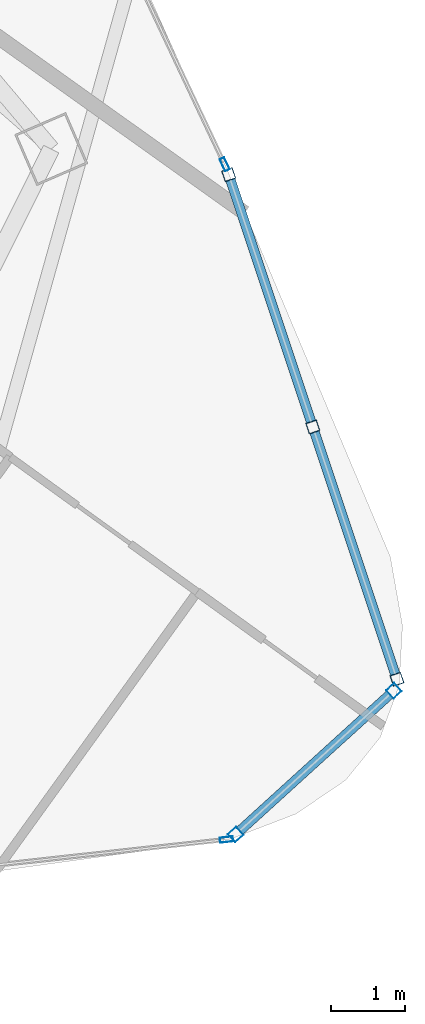
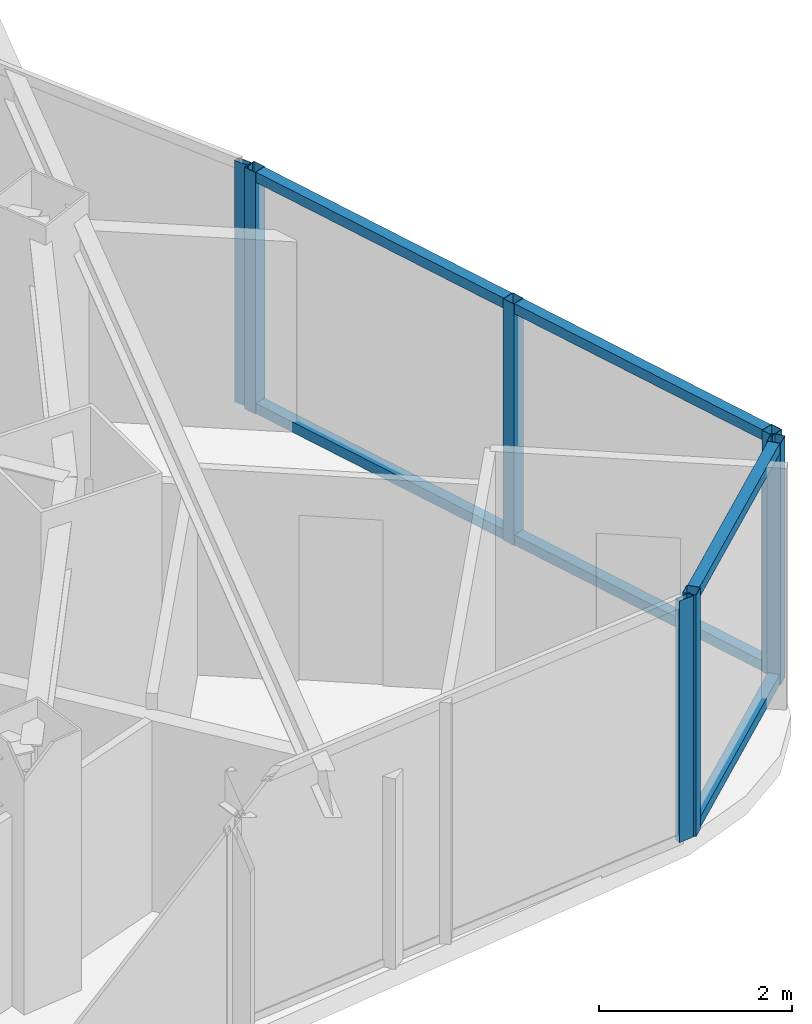
# One storey, part 14 of 30: 13 members, 4 elements without a shape of their own.
"""IFC4 building model written with IfcOpenShell, lengths in metres."""

from ifc_helpers import new_model, si_unit, direction, frame, origin, origin_2d, place, context, subcontext, project, spatial, hollow_rectangle, extrude, material, layer, layer_set, material_profile, profile_set, type_object, element, aggregate, save


model = new_model("IFC4")

# Units and contexts
model_context = context("Model", 3, precision=1e-05, world=origin(), true_north=direction((0.0, 1.0)))
body_context = subcontext(model_context, "Body", "Model", "MODEL_VIEW")
ifc_project = project(units=[si_unit("LENGTHUNIT", "METRE"), si_unit("AREAUNIT", "SQUARE_METRE"), si_unit("VOLUMEUNIT", "CUBIC_METRE"), si_unit("PLANEANGLEUNIT", "RADIAN"), si_unit("MASSUNIT", "GRAM", prefix="KILO")], contexts=[model_context])

# Site, building, storey
site_placement = place(None, origin())
site = spatial("IfcSite", under=ifc_project, at=site_placement, CompositionType="ELEMENT")
building_placement = place(site_placement, origin())
building = spatial("IfcBuilding", under=site, at=building_placement, Name="Orvanel Arch Residences", CompositionType="ELEMENT")
storey_placement = place(building_placement, frame((0.0, 0.0, 136.39990234375)))
storey = spatial("IfcBuildingStorey", under=building, at=storey_placement, Name="L38", CompositionType="ELEMENT", Elevation=136.39990234375)

# Curtain wall, members
ifc_material = material(Name="Bronze-anodised aluminium AA6063-T6", Category="aluminium")
ifc_layer_1 = layer(ifc_material, 0.18994140625)
ifc_layer_set_1 = layer_set([ifc_layer_1], Name="Bronze-anodised aluminium AA6063-T6")
curtain_wall_type_1 = type_object("IfcCurtainWallType", Name="CW5-CRN-SYS", PredefinedType="NOTDEFINED", material=ifc_layer_set_1)
curtain_wall_1_placement = place(storey_placement, origin())
curtain_wall_1 = element("IfcCurtainWall", 1, at=curtain_wall_1_placement, inside=storey, type_object=curtain_wall_type_1, Name="L38 CW5-CRN-SYS Unitised Curtain Wall", PredefinedType="NOTDEFINED")
ifc_material_profile_1 = material_profile(ifc_material, hollow_rectangle(XDim=0.14990234375, YDim=0.14990234375, WallThickness=0.0048828125, at=origin_2d()), Name="ALU150x150x5")
ifc_profile_set_1 = profile_set([ifc_material_profile_1], Name="Bronze-anodised aluminium AA6063-T6")
member_type_1 = type_object("IfcMemberType", Name="MUL-150x150", PredefinedType="MULLION", material=ifc_profile_set_1)
member_1_placement = place(storey_placement, frame((56.39453125, 5.33349609375, 0.0), z_axis=(0.0, 0.0, 1.0), x_axis=(-0.672508692738, 0.740089223129, 0.0)))
member_1 = element("IfcMember", 2, at=member_1_placement, type_object=member_type_1, Name="CW-S5 mullion 1", PredefinedType="MULLION", context=body_context, shape_type="SweptSolid", body=[
    extrude(hollow_rectangle(XDim=0.14990234375, YDim=0.14990234375, WallThickness=0.0048828125, at=origin_2d()), origin(), (0.0, 0.0, 1.0), 3.06005859375),
])
member_2_placement = place(storey_placement, frame((58.528564453125, 7.2724609375, 0.0), z_axis=(0.0, 0.0, 1.0), x_axis=(-0.672508692738, 0.740089223129, 0.0)))
member_2 = element("IfcMember", 3, at=member_2_placement, type_object=member_type_1, Name="CW-S5 mullion 2", PredefinedType="MULLION", context=body_context, shape_type="SweptSolid", body=[
    extrude(hollow_rectangle(XDim=0.14990234375, YDim=0.14990234375, WallThickness=0.0048828125, at=origin_2d()), origin(), (0.0, 0.0, 1.0), 3.06005859375),
])

curtain_wall_2_placement = place(storey_placement, origin())
curtain_wall_2 = element("IfcCurtainWall", 4, at=curtain_wall_2_placement, inside=storey, type_object=curtain_wall_type_1, Name="L38 CW5-CRN-SYS Unitised Curtain Wall", PredefinedType="NOTDEFINED")
member_3_placement = place(storey_placement, frame((58.5693359375, 7.42626953125, 0.0), z_axis=(0.0, 0.0, 1.0), x_axis=(-0.948642347398, -0.316350591471, 0.0)))
member_3 = element("IfcMember", 5, at=member_3_placement, type_object=member_type_1, Name="CW-S5 mullion 1", PredefinedType="MULLION", context=body_context, shape_type="SweptSolid", body=[
    extrude(hollow_rectangle(XDim=0.14990234375, YDim=0.14990234375, WallThickness=0.0048828125, at=origin_2d()), origin(), (0.0, 0.0, 1.0), 3.06005859375),
])
member_4_placement = place(storey_placement, frame((57.43408203125, 10.83056640625, 0.0), z_axis=(0.0, 0.0, 1.0), x_axis=(-0.948642347398, -0.316350591471, 0.0)))
member_4 = element("IfcMember", 6, at=member_4_placement, type_object=member_type_1, Name="CW-S5 mullion 2", PredefinedType="MULLION", context=body_context, shape_type="SweptSolid", body=[
    extrude(hollow_rectangle(XDim=0.14990234375, YDim=0.14990234375, WallThickness=0.0048828125, at=origin_2d()), origin(), (0.0, 0.0, 1.0), 3.06005859375),
])
member_5_placement = place(storey_placement, frame((56.298828125, 14.23486328125, 0.0), z_axis=(0.0, 0.0, 1.0), x_axis=(-0.948642347398, -0.316350591471, 0.0)))
member_5 = element("IfcMember", 7, at=member_5_placement, type_object=member_type_1, Name="CW-S5 mullion 3", PredefinedType="MULLION", context=body_context, shape_type="SweptSolid", body=[
    extrude(hollow_rectangle(XDim=0.14990234375, YDim=0.14990234375, WallThickness=0.0048828125, at=origin_2d()), origin(), (0.0, 0.0, 1.0), 3.06005859375),
])

# Curtain wall, member
ifc_layer_2 = layer(ifc_material, 0.179931640625)
ifc_layer_set_2 = layer_set([ifc_layer_2], Name="Bronze-anodised aluminium AA6063-T6")
curtain_wall_type_2 = type_object("IfcCurtainWallType", Name="CW3-MID-SYS", PredefinedType="NOTDEFINED", material=ifc_layer_set_2)
curtain_wall_3_placement = place(storey_placement, origin())
curtain_wall_3 = element("IfcCurtainWall", 8, at=curtain_wall_3_placement, inside=storey, type_object=curtain_wall_type_2, Name="L38 CW3-MID-SYS Unitised Curtain Wall", PredefinedType="NOTDEFINED")
ifc_material_profile_2 = material_profile(ifc_material, hollow_rectangle(XDim=0.070068359375, YDim=0.179931640625, WallThickness=0.00439453125, at=origin_2d()), Name="ALU180x70x4.5")
ifc_profile_set_2 = profile_set([ifc_material_profile_2], Name="Bronze-anodised aluminium AA6063-T6")
member_type_2 = type_object("IfcMemberType", Name="MUL-180x70", PredefinedType="MULLION", material=ifc_profile_set_2)
member_6_placement = place(storey_placement, frame((56.269287109375, 5.26416015625, 0.0), z_axis=(0.0, 0.0, 1.0), x_axis=(-0.109856452012, 0.993947463376, 0.0)))
member_6 = element("IfcMember", 9, at=member_6_placement, type_object=member_type_2, Name="CW-S3 mullion 4", PredefinedType="MULLION", context=body_context, shape_type="SweptSolid", body=[
    extrude(hollow_rectangle(XDim=0.070068359375, YDim=0.179931640625, WallThickness=0.00439453125, at=origin_2d()), origin(), (0.0, 0.0, 1.0), 3.06005859375),
])
aggregate(curtain_wall_3, [member_6])

curtain_wall_4_placement = place(storey_placement, origin())
curtain_wall_4 = element("IfcCurtainWall", 10, at=curtain_wall_4_placement, inside=storey, type_object=curtain_wall_type_2, Name="L38 CW3-MID-SYS Unitised Curtain Wall", PredefinedType="NOTDEFINED")
member_7_placement = place(storey_placement, frame((56.2451171875, 14.374755859375, 0.0), z_axis=(0.0, 0.0, 1.0), x_axis=(-0.904718317151, -0.426010289326, 0.0)))
member_7 = element("IfcMember", 11, at=member_7_placement, type_object=member_type_2, Name="CW-S3 mullion 1", PredefinedType="MULLION", context=body_context, shape_type="SweptSolid", body=[
    extrude(hollow_rectangle(XDim=0.070068359375, YDim=0.179931640625, WallThickness=0.00439453125, at=origin_2d()), origin(), (0.0, 0.0, 1.0), 3.06005859375),
])
aggregate(curtain_wall_4, [member_7])

# Member
ifc_material_profile_3 = material_profile(ifc_material, hollow_rectangle(XDim=0.1298828125, YDim=0.1298828125, WallThickness=0.00439453125, at=origin_2d()), Name="ALU130x130x4.5")
ifc_profile_set_3 = profile_set([ifc_material_profile_3], Name="Bronze-anodised aluminium AA6063-T6")
member_type_3 = type_object("IfcMemberType", Name="TRN-130x130", PredefinedType="USERDEFINED", material=ifc_profile_set_3)
member_8_placement = place(storey_placement, frame((56.449951171875, 5.3837890625, 0.065185546875), z_axis=(0.740061303002, 0.672539417283, 0.0), x_axis=(-0.672539417283, 0.740061303002, 0.0)))
member_8 = element("IfcMember", 12, at=member_8_placement, type_object=member_type_3, Name="CW-S5 transom 1.1", ObjectType="TRANSOM", PredefinedType="USERDEFINED", context=body_context, shape_type="SweptSolid", body=[
    extrude(hollow_rectangle(XDim=0.1298828125, YDim=0.1298828125, WallThickness=0.00439453125, at=origin_2d()), origin(), (0.0, 0.0, 1.0), 2.7333984375),
])

member_9_placement = place(storey_placement, frame((56.449951171875, 5.3837890625, 2.9951171875), z_axis=(0.740061303002, 0.672539417283, 0.0), x_axis=(-0.672539417283, 0.740061303002, 0.0)))
member_9 = element("IfcMember", 13, at=member_9_placement, type_object=member_type_3, Name="CW-S5 transom 1.2", ObjectType="TRANSOM", PredefinedType="USERDEFINED", context=body_context, shape_type="SweptSolid", body=[
    extrude(hollow_rectangle(XDim=0.1298828125, YDim=0.1298828125, WallThickness=0.00439453125, at=origin_2d()), origin(), (0.0, 0.0, 1.0), 2.7333984375),
])

aggregate(curtain_wall_1, [member_1, member_2, member_8, member_9])

member_10_placement = place(storey_placement, frame((58.545654296875, 7.497314453125, 0.065185546875), z_axis=(-0.316376862518, 0.948633586198, 0.0), x_axis=(-0.948633586198, -0.316376862518, 0.0)))
member_10 = element("IfcMember", 14, at=member_10_placement, type_object=member_type_3, Name="CW-S5 transom 1.1", ObjectType="TRANSOM", PredefinedType="USERDEFINED", context=body_context, shape_type="SweptSolid", body=[
    extrude(hollow_rectangle(XDim=0.1298828125, YDim=0.1298828125, WallThickness=0.00439453125, at=origin_2d()), origin(), (0.0, 0.0, 1.0), 3.4384765625),
])

member_11_placement = place(storey_placement, frame((58.545654296875, 7.497314453125, 2.9951171875), z_axis=(-0.316376862518, 0.948633586198, 0.0), x_axis=(-0.948633586198, -0.316376862518, 0.0)))
member_11 = element("IfcMember", 15, at=member_11_placement, type_object=member_type_3, Name="CW-S5 transom 1.2", ObjectType="TRANSOM", PredefinedType="USERDEFINED", context=body_context, shape_type="SweptSolid", body=[
    extrude(hollow_rectangle(XDim=0.1298828125, YDim=0.1298828125, WallThickness=0.00439453125, at=origin_2d()), origin(), (0.0, 0.0, 1.0), 3.4384765625),
])

member_12_placement = place(storey_placement, frame((57.41015625, 10.901611328125, 0.065185546875), z_axis=(-0.316291662605, 0.948661996797, 0.0), x_axis=(-0.948661996797, -0.316291662605, 0.0)))
member_12 = element("IfcMember", 16, at=member_12_placement, type_object=member_type_3, Name="CW-S5 transom 2.1", ObjectType="TRANSOM", PredefinedType="USERDEFINED", context=body_context, shape_type="SweptSolid", body=[
    extrude(hollow_rectangle(XDim=0.1298828125, YDim=0.1298828125, WallThickness=0.00439453125, at=origin_2d()), origin(), (0.0, 0.0, 1.0), 3.438720703125),
])

member_13_placement = place(storey_placement, frame((57.41015625, 10.901611328125, 2.9951171875), z_axis=(-0.316291662605, 0.948661996797, 0.0), x_axis=(-0.948661996797, -0.316291662605, 0.0)))
member_13 = element("IfcMember", 17, at=member_13_placement, type_object=member_type_3, Name="CW-S5 transom 2.2", ObjectType="TRANSOM", PredefinedType="USERDEFINED", context=body_context, shape_type="SweptSolid", body=[
    extrude(hollow_rectangle(XDim=0.1298828125, YDim=0.1298828125, WallThickness=0.00439453125, at=origin_2d()), origin(), (0.0, 0.0, 1.0), 3.438720703125),
])

aggregate(curtain_wall_2, [member_3, member_4, member_5, member_10, member_11, member_12, member_13])

save(model, "model.ifc")
